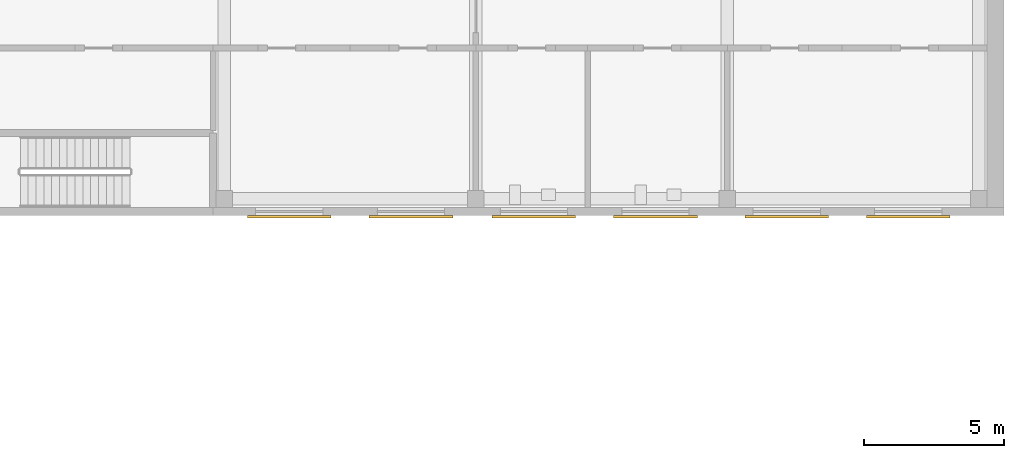
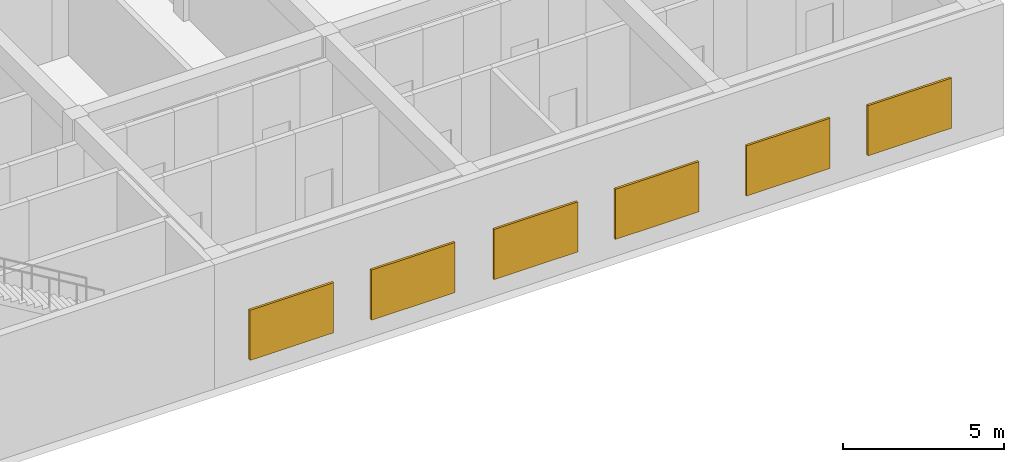
# One storey, part 22 of 24: 6 shading devices.
"""IFC4 building model written with IfcOpenShell, lengths in metres."""

from ifc_helpers import new_model, si_unit, direction, frame, origin, origin_2d, place, context, subcontext, project, spatial, rectangle, extrude, material, layer, layer_set, type_object, element, save


model = new_model("IFC4")

# Units and contexts
model_context = context("Model", 3, precision=1e-05, world=origin(), true_north=direction((0.0, 1.0)))
body_context = subcontext(model_context, "Body", "Model", "MODEL_VIEW")
ifc_project = project(units=[si_unit("LENGTHUNIT", "METRE"), si_unit("AREAUNIT", "SQUARE_METRE"), si_unit("VOLUMEUNIT", "CUBIC_METRE"), si_unit("PLANEANGLEUNIT", "RADIAN"), si_unit("MASSUNIT", "GRAM", prefix="KILO")], contexts=[model_context])

# Site, building, storey
site_placement = place(None, origin())
site = spatial("IfcSite", under=ifc_project, at=site_placement, CompositionType="ELEMENT")
building_placement = place(site_placement, origin())
building = spatial("IfcBuilding", under=site, at=building_placement, Name="Girih Gate Residences", CompositionType="ELEMENT")
storey_placement = place(building_placement, frame((0.0, 0.0, 11.0)))
storey = spatial("IfcBuildingStorey", under=building, at=storey_placement, Name="L02", CompositionType="ELEMENT", Elevation=11.0)

# Shading devices
ifc_material = material(Name="Precast concrete C50/60", Category="concrete")
ifc_layer = layer(ifc_material, 0.080078125)
ifc_layer_set = layer_set([ifc_layer], Name="HC Panjara screen")
shading_device_type = type_object("IfcShadingDeviceType", Name="HC Panjara screen", PredefinedType="USERDEFINED", material=ifc_layer_set)
for number, where, z_axis, x_axis, name in (
    (1, (64.77490234375, 8.9599609375, 0.699951171875), (0.0, 0.0, 1.0), (1.0, 0.0, 0.0), "L02 panjara screen 1"),
    (2, (69.125, 8.9599609375, 0.699951171875), (0.0, 0.0, 1.0), (1.0, 0.0, 0.0), "L02 panjara screen 2"),
    (3, (73.52490234375, 8.9599609375, 0.699951171875), (0.0, 0.0, 1.0), (1.0, 0.0, 0.0), "L02 panjara screen 3"),
    (4, (77.875, 8.9599609375, 0.699951171875), (0.0, 0.0, 1.0), (1.0, 0.0, 0.0), "L02 panjara screen 4"),
    (5, (82.574951171875, 8.9599609375, 0.699951171875), (0.0, 0.0, 1.0), (1.0, 0.0, 0.0), "L02 panjara screen 5"),
    (6, (86.925048828125, 8.9599609375, 0.699951171875), (0.0, 0.0, 1.0), (1.0, 0.0, 0.0), "L02 panjara screen 6"),
):
    element("IfcShadingDevice", number, at=place(storey_placement, frame(where, z_axis=z_axis, x_axis=x_axis)), inside=storey, type_object=shading_device_type, Name=name, ObjectType="SCREEN", PredefinedType="USERDEFINED", context=body_context, shape_type="SweptSolid", body=[
        extrude(rectangle(XDim=3.0, YDim=0.080078125, at=origin_2d()), origin(), (0.0, 0.0, 1.0), 1.89990234375),
    ])

save(model, "model.ifc")
